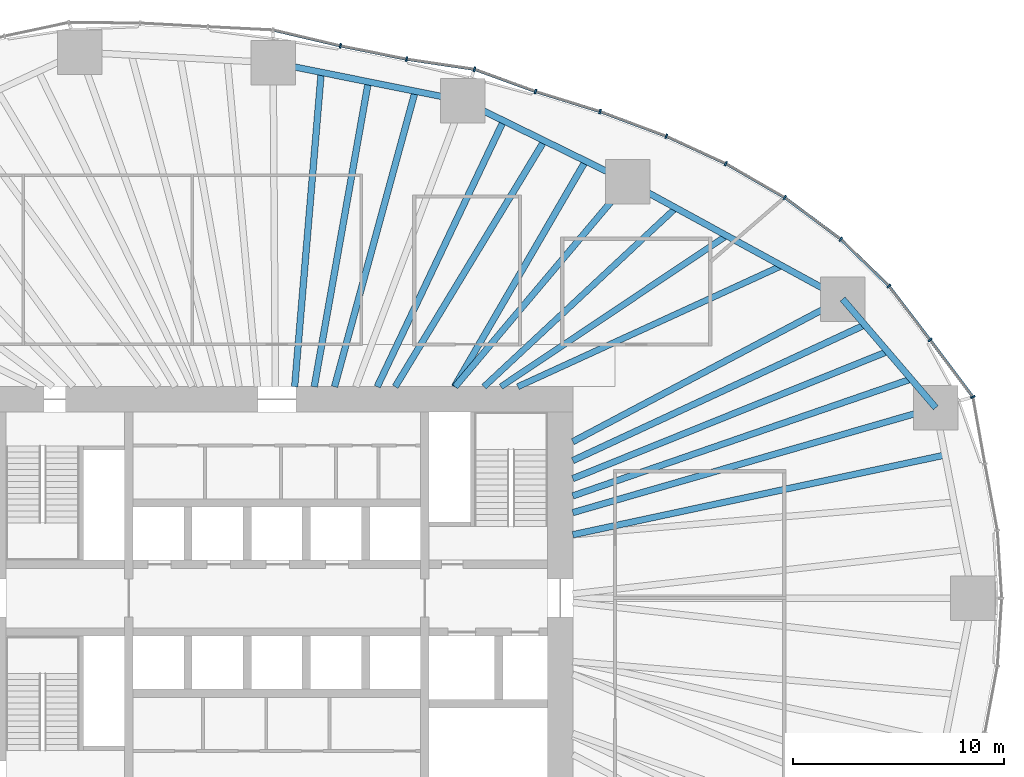
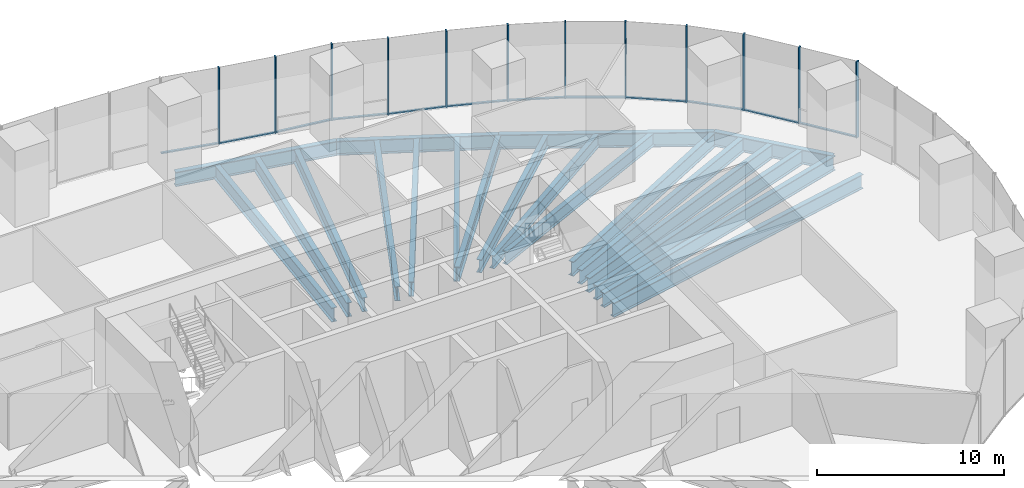
# One storey, part 6 of 20: 24 members, 20 beams, 4 elements without a shape of their own.
"""IFC4 building model written with IfcOpenShell, lengths in metres."""

from ifc_helpers import new_model, si_unit, direction, frame, origin, origin_2d, place, context, subcontext, project, spatial, rectangle, i_section, extrude, material, material_profile, profile_set, type_object, element, aggregate, save


model = new_model("IFC4")

# Units and contexts
model_context = context("Model", 3, precision=1e-05, world=origin(), true_north=direction((0.0, 1.0)))
body_context = subcontext(model_context, "Body", "Model", "MODEL_VIEW")
ifc_project = project(units=[si_unit("LENGTHUNIT", "METRE"), si_unit("AREAUNIT", "SQUARE_METRE"), si_unit("VOLUMEUNIT", "CUBIC_METRE"), si_unit("PLANEANGLEUNIT", "RADIAN"), si_unit("MASSUNIT", "GRAM", prefix="KILO")], contexts=[model_context])

# Site, building, storey
site_placement = place(None, origin())
site = spatial("IfcSite", under=ifc_project, at=site_placement, CompositionType="ELEMENT")
building_placement = place(site_placement, origin())
building = spatial("IfcBuilding", under=site, at=building_placement, Name="Ghaith Harvest Tower", CompositionType="ELEMENT")
storey_placement = place(building_placement, frame((0.0, 0.0, 30.0)))
storey = spatial("IfcBuildingStorey", under=building, at=storey_placement, Name="L06", CompositionType="ELEMENT", Elevation=30.0)

# Curtain wall, members
ifc_material_1 = material(Name="Black anodised aluminium and fritted glass", Category="aluminium")
curtain_wall_type = type_object("IfcCurtainWallType", Name="CW-F CURTAIN WALL", PredefinedType="NOTDEFINED", material=ifc_material_1)
curtain_wall_1_placement = place(storey_placement, origin())
curtain_wall_1 = element("IfcCurtainWall", 1, at=curtain_wall_1_placement, inside=storey, type_object=curtain_wall_type, Name="Curtain wall CW-F bay 02 L06", PredefinedType="NOTDEFINED")
ifc_material_2 = material(Name="Aluminium, black anodised", Category="aluminium")
ifc_material_profile_1 = material_profile(ifc_material_2, rectangle(XDim=0.080078125, YDim=0.219970703125, at=origin_2d()), Name="CW-F MULLION 80x220")
ifc_profile_set_1 = profile_set([ifc_material_profile_1], Name="Aluminium, black anodised")
member_type_1 = type_object("IfcMemberType", Name="CW-F MULLION 80x220", PredefinedType="MULLION", material=ifc_profile_set_1)
member_1_placement = place(storey_placement, frame((32.923583984375, 9.515625, 0.0), z_axis=(0.0, 0.0, 1.0), x_axis=(-0.404701693729, 0.914448762421, 0.0)))
member_1 = element("IfcMember", 2, at=member_1_placement, type_object=member_type_1, Name="CW-F mullion 1 bay 02 L06", PredefinedType="MULLION", context=body_context, shape_type="SweptSolid", body=[
    extrude(rectangle(XDim=0.080078125, YDim=0.219970703125, at=origin_2d()), origin(), (0.0, 0.0, 1.0), 5.0),
])
member_2_placement = place(storey_placement, frame((30.896728515625, 12.215087890625, 0.0), z_axis=(0.0, 0.0, 1.0), x_axis=(-0.603948315345, 0.797023482961, 0.0)))
member_2 = element("IfcMember", 3, at=member_2_placement, type_object=member_type_1, Name="CW-F mullion 2 bay 02 L06", PredefinedType="MULLION", context=body_context, shape_type="SweptSolid", body=[
    extrude(rectangle(XDim=0.080078125, YDim=0.219970703125, at=origin_2d()), origin(), (0.0, 0.0, 1.0), 5.0),
])
member_3_placement = place(storey_placement, frame((28.947021484375, 14.763427734375, 0.0), z_axis=(0.0, 0.0, 1.0), x_axis=(-0.663604797296, 0.748083332929, 0.0)))
member_3 = element("IfcMember", 4, at=member_3_placement, type_object=member_type_1, Name="CW-F mullion 3 bay 02 L06", PredefinedType="MULLION", context=body_context, shape_type="SweptSolid", body=[
    extrude(rectangle(XDim=0.080078125, YDim=0.219970703125, at=origin_2d()), origin(), (0.0, 0.0, 1.0), 5.0),
])

curtain_wall_2_placement = place(storey_placement, origin())
curtain_wall_2 = element("IfcCurtainWall", 5, at=curtain_wall_2_placement, inside=storey, type_object=curtain_wall_type, Name="Curtain wall CW-F bay 03 L06", PredefinedType="NOTDEFINED")
member_4_placement = place(storey_placement, frame((26.673828125, 16.9755859375, 0.0), z_axis=(0.0, 0.0, 1.0), x_axis=(-0.762365981091, 0.647146127915, 0.0)))
member_4 = element("IfcMember", 6, at=member_4_placement, type_object=member_type_1, Name="CW-F mullion 1 bay 03 L06", PredefinedType="MULLION", context=body_context, shape_type="SweptSolid", body=[
    extrude(rectangle(XDim=0.080078125, YDim=0.219970703125, at=origin_2d()), origin(), (0.0, 0.0, 1.0), 5.0),
])
member_5_placement = place(storey_placement, frame((24.018310546875, 18.947265625, 0.0), z_axis=(0.0, 0.0, 1.0), x_axis=(-0.835443516723, 0.549576318963, 0.0)))
member_5 = element("IfcMember", 7, at=member_5_placement, type_object=member_type_1, Name="CW-F mullion 2 bay 03 L06", PredefinedType="MULLION", context=body_context, shape_type="SweptSolid", body=[
    extrude(rectangle(XDim=0.080078125, YDim=0.219970703125, at=origin_2d()), origin(), (0.0, 0.0, 1.0), 5.0),
])
member_6_placement = place(storey_placement, frame((21.2353515625, 20.552978515625, 0.0), z_axis=(0.0, 0.0, 1.0), x_axis=(-0.887896671642, 0.460042933308, 0.0)))
member_6 = element("IfcMember", 8, at=member_6_placement, type_object=member_type_1, Name="CW-F mullion 3 bay 03 L06", PredefinedType="MULLION", context=body_context, shape_type="SweptSolid", body=[
    extrude(rectangle(XDim=0.080078125, YDim=0.219970703125, at=origin_2d()), origin(), (0.0, 0.0, 1.0), 5.0),
])

curtain_wall_3_placement = place(storey_placement, origin())
curtain_wall_3 = element("IfcCurtainWall", 9, at=curtain_wall_3_placement, inside=storey, type_object=curtain_wall_type, Name="Curtain wall CW-F bay 04 L06", PredefinedType="NOTDEFINED")
member_7_placement = place(storey_placement, frame((18.422607421875, 21.8466796875, 0.0), z_axis=(0.0, 0.0, 1.0), x_axis=(-0.923910199252, 0.382609387912, 0.0)))
member_7 = element("IfcMember", 10, at=member_7_placement, type_object=member_type_1, Name="CW-F mullion 1 bay 04 L06", PredefinedType="MULLION", context=body_context, shape_type="SweptSolid", body=[
    extrude(rectangle(XDim=0.080078125, YDim=0.219970703125, at=origin_2d()), origin(), (0.0, 0.0, 1.0), 5.0),
])
member_8_placement = place(storey_placement, frame((15.28759765625, 23.01611328125, 0.0), z_axis=(0.0, 0.0, 1.0), x_axis=(-0.946121020954, 0.323813238933, 0.0)))
member_8 = element("IfcMember", 11, at=member_8_placement, type_object=member_type_1, Name="CW-F mullion 2 bay 04 L06", PredefinedType="MULLION", context=body_context, shape_type="SweptSolid", body=[
    extrude(rectangle(XDim=0.080078125, YDim=0.219970703125, at=origin_2d()), origin(), (0.0, 0.0, 1.0), 5.0),
])
member_9_placement = place(storey_placement, frame((12.234375, 23.964599609375, 0.0), z_axis=(0.0, 0.0, 1.0), x_axis=(-0.947653438436, 0.319300736957, 0.0)))
member_9 = element("IfcMember", 12, at=member_9_placement, type_object=member_type_1, Name="CW-F mullion 3 bay 04 L06", PredefinedType="MULLION", context=body_context, shape_type="SweptSolid", body=[
    extrude(rectangle(XDim=0.080078125, YDim=0.219970703125, at=origin_2d()), origin(), (0.0, 0.0, 1.0), 5.0),
])

curtain_wall_4_placement = place(storey_placement, origin())
curtain_wall_4 = element("IfcCurtainWall", 13, at=curtain_wall_4_placement, inside=storey, type_object=curtain_wall_type, Name="Curtain wall CW-F bay 05 L06", PredefinedType="NOTDEFINED")
member_10_placement = place(storey_placement, frame((9.351806640625, 25.01611328125, 0.0), z_axis=(0.0, 0.0, 1.0), x_axis=(-0.969903429236, 0.243489913461, 0.0)))
member_10 = element("IfcMember", 14, at=member_10_placement, type_object=member_type_1, Name="CW-F mullion 1 bay 05 L06", PredefinedType="MULLION", context=body_context, shape_type="SweptSolid", body=[
    extrude(rectangle(XDim=0.080078125, YDim=0.219970703125, at=origin_2d()), origin(), (0.0, 0.0, 1.0), 5.0),
])
member_11_placement = place(storey_placement, frame((6.136962890625, 25.495361328125, 0.0), z_axis=(0.0, 0.0, 1.0), x_axis=(-0.985103843977, 0.171960508788, 0.0)))
member_11 = element("IfcMember", 15, at=member_11_placement, type_object=member_type_1, Name="CW-F mullion 2 bay 05 L06", PredefinedType="MULLION", context=body_context, shape_type="SweptSolid", body=[
    extrude(rectangle(XDim=0.080078125, YDim=0.219970703125, at=origin_2d()), origin(), (0.0, 0.0, 1.0), 5.0),
])
member_12_placement = place(storey_placement, frame((3.00927734375, 26.123291015625, 0.0), z_axis=(0.0, 0.0, 1.0), x_axis=(-0.976927332869, 0.213571969822, 0.0)))
member_12 = element("IfcMember", 16, at=member_12_placement, type_object=member_type_1, Name="CW-F mullion 3 bay 05 L06", PredefinedType="MULLION", context=body_context, shape_type="SweptSolid", body=[
    extrude(rectangle(XDim=0.080078125, YDim=0.219970703125, at=origin_2d()), origin(), (0.0, 0.0, 1.0), 5.0),
])

# Member
ifc_material_3 = material(Name="Aluminium, black anodised", Category="aluminium")
ifc_material_profile_2 = material_profile(ifc_material_3, rectangle(XDim=0.139892578125, YDim=0.080078125, at=origin_2d()), Name="CW-F TRANSOM 140x80")
ifc_profile_set_2 = profile_set([ifc_material_profile_2], Name="Aluminium, black anodised")
member_type_2 = type_object("IfcMemberType", Name="CW-F TRANSOM 140x80", PredefinedType="USERDEFINED", material=ifc_profile_set_2)
member_13_placement = place(storey_placement, frame((32.899658203125, 9.547607421875, 0.0400390625), z_axis=(-0.600462135687, 0.799653189581, 0.0), x_axis=(-0.799653189581, -0.600462135687, 0.0)))
member_13 = element("IfcMember", 17, at=member_13_placement, type_object=member_type_2, Name="CW-F transom 1 bay 02 L06", ObjectType="TRANSOM", PredefinedType="USERDEFINED", context=body_context, shape_type="SweptSolid", body=[
    extrude(rectangle(XDim=0.139892578125, YDim=0.080078125, at=origin_2d()), origin(), (0.0, 0.0, 1.0), 3.2958984375),
])

member_14_placement = place(storey_placement, frame((30.87255859375, 12.246826171875, 0.0400390625), z_axis=(-0.607638356471, 0.794213842579, 0.0), x_axis=(-0.794213842579, -0.607638356471, 0.0)))
member_14 = element("IfcMember", 18, at=member_14_placement, type_object=member_type_2, Name="CW-F transom 2 bay 02 L06", ObjectType="TRANSOM", PredefinedType="USERDEFINED", context=body_context, shape_type="SweptSolid", body=[
    extrude(rectangle(XDim=0.139892578125, YDim=0.080078125, at=origin_2d()), origin(), (0.0, 0.0, 1.0), 3.128662109375),
])

member_15_placement = place(storey_placement, frame((28.91845703125, 14.791259765625, 0.0400390625), z_axis=(-0.71671313139, 0.697368114623, 0.0), x_axis=(-0.697368114623, -0.71671313139, 0.0)))
member_15 = element("IfcMember", 19, at=member_15_placement, type_object=member_type_2, Name="CW-F transom 3 bay 02 L06", ObjectType="TRANSOM", PredefinedType="USERDEFINED", context=body_context, shape_type="SweptSolid", body=[
    extrude(rectangle(XDim=0.139892578125, YDim=0.080078125, at=origin_2d()), origin(), (0.0, 0.0, 1.0), 3.092041015625),
])

aggregate(curtain_wall_1, [member_1, member_13, member_2, member_14, member_3, member_15])

member_16_placement = place(storey_placement, frame((26.641845703125, 16.999267578125, 0.0400390625), z_axis=(-0.802877287823, 0.596144328748, 0.0), x_axis=(-0.596144328748, -0.802877287823, 0.0)))
member_16 = element("IfcMember", 20, at=member_16_placement, type_object=member_type_2, Name="CW-F transom 1 bay 03 L06", ObjectType="TRANSOM", PredefinedType="USERDEFINED", context=body_context, shape_type="SweptSolid", body=[
    extrude(rectangle(XDim=0.139892578125, YDim=0.080078125, at=origin_2d()), origin(), (0.0, 0.0, 1.0), 3.2275390625),
])

member_17_placement = place(storey_placement, frame((23.983642578125, 18.96728515625, 0.0400390625), z_axis=(-0.866168719914, 0.499751686983, 0.0), x_axis=(-0.499751686983, -0.866168719914, 0.0)))
member_17 = element("IfcMember", 21, at=member_17_placement, type_object=member_type_2, Name="CW-F transom 2 bay 03 L06", ObjectType="TRANSOM", PredefinedType="USERDEFINED", context=body_context, shape_type="SweptSolid", body=[
    extrude(rectangle(XDim=0.139892578125, YDim=0.080078125, at=origin_2d()), origin(), (0.0, 0.0, 1.0), 3.1328125),
])

member_18_placement = place(storey_placement, frame((21.19921875, 20.56982421875, 0.0400390625), z_axis=(-0.908553137239, 0.417769310521, 0.0), x_axis=(-0.417769310521, -0.908553137239, 0.0)))
member_18 = element("IfcMember", 22, at=member_18_placement, type_object=member_type_2, Name="CW-F transom 3 bay 03 L06", ObjectType="TRANSOM", PredefinedType="USERDEFINED", context=body_context, shape_type="SweptSolid", body=[
    extrude(rectangle(XDim=0.139892578125, YDim=0.080078125, at=origin_2d()), origin(), (0.0, 0.0, 1.0), 3.01611328125),
])

aggregate(curtain_wall_2, [member_4, member_16, member_5, member_17, member_6, member_18])

member_19_placement = place(storey_placement, frame((18.385009765625, 21.860595703125, 0.0400390625), z_axis=(-0.936923785579, 0.349533717996, 0.0), x_axis=(-0.349533717996, -0.936923785579, 0.0)))
member_19 = element("IfcMember", 23, at=member_19_placement, type_object=member_type_2, Name="CW-F transom 1 bay 04 L06", ObjectType="TRANSOM", PredefinedType="USERDEFINED", context=body_context, shape_type="SweptSolid", body=[
    extrude(rectangle(XDim=0.139892578125, YDim=0.080078125, at=origin_2d()), origin(), (0.0, 0.0, 1.0), 3.26611328125),
])

member_20_placement = place(storey_placement, frame((15.249267578125, 23.028076171875, 0.0400390625), z_axis=(-0.954998362353, 0.296611071781, 0.0), x_axis=(-0.296611071781, -0.954998362353, 0.0)))
member_20 = element("IfcMember", 24, at=member_20_placement, type_object=member_type_2, Name="CW-F transom 2 bay 04 L06", ObjectType="TRANSOM", PredefinedType="USERDEFINED", context=body_context, shape_type="SweptSolid", body=[
    extrude(rectangle(XDim=0.139892578125, YDim=0.080078125, at=origin_2d()), origin(), (0.0, 0.0, 1.0), 3.1171875),
])

member_21_placement = place(storey_placement, frame((12.19677734375, 23.978271484375, 0.0400390625), z_axis=(-0.939437502081, 0.342720264478, 0.0), x_axis=(-0.342720264478, -0.939437502081, 0.0)))
member_21 = element("IfcMember", 25, at=member_21_placement, type_object=member_type_2, Name="CW-F transom 3 bay 04 L06", ObjectType="TRANSOM", PredefinedType="USERDEFINED", context=body_context, shape_type="SweptSolid", body=[
    extrude(rectangle(XDim=0.139892578125, YDim=0.080078125, at=origin_2d()), origin(), (0.0, 0.0, 1.0), 2.98828125),
])

aggregate(curtain_wall_3, [member_7, member_19, member_8, member_20, member_9, member_21])

member_22_placement = place(storey_placement, frame((9.312255859375, 25.02197265625, 0.0400390625), z_axis=(-0.989078238205, 0.147391447207, 0.0), x_axis=(-0.147391447207, -0.989078238205, 0.0)))
member_22 = element("IfcMember", 26, at=member_22_placement, type_object=member_type_2, Name="CW-F transom 1 bay 05 L06", ObjectType="TRANSOM", PredefinedType="USERDEFINED", context=body_context, shape_type="SweptSolid", body=[
    extrude(rectangle(XDim=0.139892578125, YDim=0.080078125, at=origin_2d()), origin(), (0.0, 0.0, 1.0), 3.17041015625),
])

member_23_placement = place(storey_placement, frame((6.097900390625, 25.503173828125, 0.0400390625), z_axis=(-0.980432471193, 0.196855707129, 0.0), x_axis=(-0.196855707129, -0.980432471193, 0.0)))
member_23 = element("IfcMember", 27, at=member_23_placement, type_object=member_type_2, Name="CW-F transom 2 bay 05 L06", ObjectType="TRANSOM", PredefinedType="USERDEFINED", context=body_context, shape_type="SweptSolid", body=[
    extrude(rectangle(XDim=0.139892578125, YDim=0.080078125, at=origin_2d()), origin(), (0.0, 0.0, 1.0), 3.1103515625),
])

member_24_placement = place(storey_placement, frame((2.97021484375, 26.132568359375, 0.0400390625), z_axis=(-0.973252867589, 0.229736491942, 0.0), x_axis=(-0.229736491942, -0.973252867589, 0.0)))
member_24 = element("IfcMember", 28, at=member_24_placement, type_object=member_type_2, Name="CW-F transom 3 bay 05 L06", ObjectType="TRANSOM", PredefinedType="USERDEFINED", context=body_context, shape_type="SweptSolid", body=[
    extrude(rectangle(XDim=0.139892578125, YDim=0.080078125, at=origin_2d()), origin(), (0.0, 0.0, 1.0), 3.200927734375),
])

aggregate(curtain_wall_4, [member_10, member_22, member_11, member_23, member_12, member_24])

# Beams
ifc_material_4 = material(Name="Steel ASTM A992 Grade 50", Category="steel")
ifc_material_profile_3 = material_profile(ifc_material_4, i_section(OverallWidth=0.306884765625, OverallDepth=0.94189453125, WebThickness=0.022216796875, FlangeThickness=0.039794921875, at=origin_2d()), Name="W920X345")
ifc_profile_set_3 = profile_set([ifc_material_profile_3], Name="Steel ASTM A992 Grade 50")
beam_type_1 = type_object("IfcBeamType", Name="E920-345 W920X345", PredefinedType="SPANDREL", material=ifc_profile_set_3)
beam_1_placement = place(storey_placement, frame((31.166015625, 9.008056640625, -0.6708984375), z_axis=(-0.65056255283, 0.759452674533, 0.0), x_axis=(-0.759452674533, -0.65056255283, 0.0)))
element("IfcBeam", 29, at=beam_1_placement, inside=storey, type_object=beam_type_1, Name="Edge beam E02 L06", PredefinedType="SPANDREL", context=body_context, shape_type="SweptSolid", body=[
    extrude(i_section(OverallWidth=0.306884765625, OverallDepth=0.94189453125, WebThickness=0.022216796875, FlangeThickness=0.039794921875, at=origin_2d()), origin(), (0.0, 0.0, 1.0), 6.7666015625),
])
beam_2_placement = place(storey_placement, frame((26.763916015625, 14.14697265625, -0.6708984375), z_axis=(-0.877588218279, 0.479415184509, 0.0), x_axis=(-0.479415184509, -0.877588218279, 0.0)))
element("IfcBeam", 30, at=beam_2_placement, inside=storey, type_object=beam_type_1, Name="Edge beam E03 L06", PredefinedType="SPANDREL", context=body_context, shape_type="SweptSolid", body=[
    extrude(i_section(OverallWidth=0.306884765625, OverallDepth=0.94189453125, WebThickness=0.022216796875, FlangeThickness=0.039794921875, at=origin_2d()), origin(), (0.0, 0.0, 1.0), 11.57275390625),
])
beam_3_placement = place(storey_placement, frame((16.60791015625, 19.695068359375, -0.6708984375), z_axis=(-0.897823733825, 0.440355019252, 0.0), x_axis=(-0.440355019252, -0.897823733825, 0.0)))
element("IfcBeam", 31, at=beam_3_placement, inside=storey, type_object=beam_type_1, Name="Edge beam E04 L06", PredefinedType="SPANDREL", context=body_context, shape_type="SweptSolid", body=[
    extrude(i_section(OverallWidth=0.306884765625, OverallDepth=0.94189453125, WebThickness=0.022216796875, FlangeThickness=0.039794921875, at=origin_2d()), origin(), (0.0, 0.0, 1.0), 8.7021484375),
])
beam_4_placement = place(storey_placement, frame((8.794921875, 23.527099609375, -0.6708984375), z_axis=(-0.980450082464, 0.196767974517, 0.0), x_axis=(-0.196767974517, -0.980450082464, 0.0)))
element("IfcBeam", 32, at=beam_4_placement, inside=storey, type_object=beam_type_1, Name="Edge beam E05 L06", PredefinedType="SPANDREL", context=body_context, shape_type="SweptSolid", body=[
    extrude(i_section(OverallWidth=0.306884765625, OverallDepth=0.94189453125, WebThickness=0.022216796875, FlangeThickness=0.039794921875, at=origin_2d()), origin(), (0.0, 0.0, 1.0), 9.146728515625),
])
ifc_material_5 = material(Name="Steel ASTM A992 Grade 50", Category="steel")
ifc_material_profile_4 = material_profile(ifc_material_5, i_section(OverallWidth=0.306884765625, OverallDepth=0.94189453125, WebThickness=0.022216796875, FlangeThickness=0.039794921875, at=origin_2d()), Name="W920X345")
ifc_profile_set_4 = profile_set([ifc_material_profile_4], Name="Steel ASTM A992 Grade 50")
beam_type_2 = type_object("IfcBeamType", Name="G920-345 W920X345", PredefinedType="BEAM", material=ifc_profile_set_4)
beam_5_placement = place(storey_placement, frame((14.0, 4.04638671875, -0.6708984375), z_axis=(0.960675395102, 0.277673882903, 0.0), x_axis=(-0.277673882903, 0.960675395102, 0.0)))
element("IfcBeam", 33, at=beam_5_placement, inside=storey, type_object=beam_type_2, Name="Radial girder G02 L06", PredefinedType="BEAM", context=body_context, shape_type="SweptSolid", body=[
    extrude(i_section(OverallWidth=0.306884765625, OverallDepth=0.94189453125, WebThickness=0.022216796875, FlangeThickness=0.039794921875, at=origin_2d()), origin(), (0.0, 0.0, 1.0), 17.86865234375),
])
beam_6_placement = place(storey_placement, frame((14.0, 7.39990234375, -0.6708984375), z_axis=(0.884082663971, 0.467330550324, 0.0), x_axis=(-0.467330550324, 0.884082663971, 0.0)))
element("IfcBeam", 34, at=beam_6_placement, inside=storey, type_object=beam_type_2, Name="Radial girder G03 L06", PredefinedType="BEAM", context=body_context, shape_type="SweptSolid", body=[
    extrude(i_section(OverallWidth=0.306884765625, OverallDepth=0.94189453125, WebThickness=0.022216796875, FlangeThickness=0.039794921875, at=origin_2d()), origin(), (0.0, 0.0, 1.0), 14.4375),
])
beam_7_placement = place(storey_placement, frame((8.4326171875, 10.0, -0.6708984375), z_axis=(0.644644245772, 0.764482698557, 0.0), x_axis=(-0.764482698557, 0.644644245772, 0.0)))
element("IfcBeam", 35, at=beam_7_placement, inside=storey, type_object=beam_type_2, Name="Radial girder G04 L06", PredefinedType="BEAM", context=body_context, shape_type="SweptSolid", body=[
    extrude(i_section(OverallWidth=0.306884765625, OverallDepth=0.94189453125, WebThickness=0.022216796875, FlangeThickness=0.039794921875, at=origin_2d()), origin(), (0.0, 0.0, 1.0), 12.681884765625),
])
ifc_material_6 = material(Name="Steel ASTM A992 Grade 50", Category="steel")
ifc_material_profile_5 = material_profile(ifc_material_6, i_section(OverallWidth=0.2939453125, OverallDepth=0.85107421875, WebThickness=0.01611328125, FlangeThickness=0.02685546875, at=origin_2d()), Name="W840X226")
ifc_profile_set_5 = profile_set([ifc_material_profile_5], Name="Steel ASTM A992 Grade 50")
beam_type_3 = type_object("IfcBeamType", Name="J840-226 W840X226", PredefinedType="JOIST", material=ifc_profile_set_5)
beam_8_placement = place(storey_placement, frame((11.39990234375, 10.0, -0.62548828125), z_axis=(0.909014022454, 0.416765529983, 0.0), x_axis=(-0.416765529983, 0.909014022454, 0.0)))
element("IfcBeam", 36, at=beam_8_placement, inside=storey, type_object=beam_type_3, Name="Joist J03.1 L06", PredefinedType="JOIST", context=body_context, shape_type="SweptSolid", body=[
    extrude(i_section(OverallWidth=0.2939453125, OverallDepth=0.85107421875, WebThickness=0.01611328125, FlangeThickness=0.02685546875, at=origin_2d()), origin(), (0.0, 0.0, 1.0), 13.72998046875),
])
beam_9_placement = place(storey_placement, frame((10.60009765625, 10.0, -0.62548828125), z_axis=(0.831116486766, 0.556098359489, 0.0), x_axis=(-0.556098359489, 0.831116486766, 0.0)))
element("IfcBeam", 37, at=beam_9_placement, inside=storey, type_object=beam_type_3, Name="Joist J03.2 L06", PredefinedType="JOIST", context=body_context, shape_type="SweptSolid", body=[
    extrude(i_section(OverallWidth=0.2939453125, OverallDepth=0.85107421875, WebThickness=0.01611328125, FlangeThickness=0.02685546875, at=origin_2d()), origin(), (0.0, 0.0, 1.0), 12.84716796875),
])
beam_10_placement = place(storey_placement, frame((9.800048828125, 10.0, -0.62548828125), z_axis=(0.731538123562, 0.681800538116, 0.0), x_axis=(-0.681800538116, 0.731538123562, 0.0)))
element("IfcBeam", 38, at=beam_10_placement, inside=storey, type_object=beam_type_3, Name="Joist J03.3 L06", PredefinedType="JOIST", context=body_context, shape_type="SweptSolid", body=[
    extrude(i_section(OverallWidth=0.2939453125, OverallDepth=0.85107421875, WebThickness=0.01611328125, FlangeThickness=0.02685546875, at=origin_2d()), origin(), (0.0, 0.0, 1.0), 12.404052734375),
])
ifc_material_7 = material(Name="Steel ASTM A992 Grade 50", Category="steel")
ifc_material_profile_6 = material_profile(ifc_material_7, i_section(OverallWidth=0.31005859375, OverallDepth=0.927001953125, WebThickness=0.019287109375, FlangeThickness=0.031982421875, at=origin_2d()), Name="W920X289")
ifc_profile_set_6 = profile_set([ifc_material_profile_6], Name="Steel ASTM A992 Grade 50")
beam_type_4 = type_object("IfcBeamType", Name="J920-289 W920X289", PredefinedType="JOIST", material=ifc_profile_set_6)
beam_11_placement = place(storey_placement, frame((14.0, 6.506103515625, -0.66357421875), z_axis=(0.906862619792, 0.421426374144, 0.0), x_axis=(-0.421426374144, 0.906862619792, 0.0)))
element("IfcBeam", 39, at=beam_11_placement, inside=storey, type_object=beam_type_4, Name="Joist J02.3 L06", PredefinedType="JOIST", context=body_context, shape_type="SweptSolid", body=[
    extrude(i_section(OverallWidth=0.31005859375, OverallDepth=0.927001953125, WebThickness=0.019287109375, FlangeThickness=0.031982421875, at=origin_2d()), origin(), (0.0, 0.0, 1.0), 15.229736328125),
])
beam_12_placement = place(storey_placement, frame((8.39990234375, 10.0, -0.66357421875), z_axis=(0.50228574324, 0.864701701246, 0.0), x_axis=(-0.864701701246, 0.50228574324, 0.0)))
element("IfcBeam", 40, at=beam_12_placement, inside=storey, type_object=beam_type_4, Name="Joist J04.1 L06", PredefinedType="JOIST", context=body_context, shape_type="SweptSolid", body=[
    extrude(i_section(OverallWidth=0.31005859375, OverallDepth=0.927001953125, WebThickness=0.019287109375, FlangeThickness=0.031982421875, at=origin_2d()), origin(), (0.0, 0.0, 1.0), 12.349365234375),
])
beam_13_placement = place(storey_placement, frame((5.60009765625, 10.0, -0.66357421875), z_axis=(0.518319612023, 0.85518698528, 0.0), x_axis=(-0.85518698528, 0.518319612023, 0.0)))
element("IfcBeam", 41, at=beam_13_placement, inside=storey, type_object=beam_type_4, Name="Joist J04.2 L06", PredefinedType="JOIST", context=body_context, shape_type="SweptSolid", body=[
    extrude(i_section(OverallWidth=0.31005859375, OverallDepth=0.927001953125, WebThickness=0.019287109375, FlangeThickness=0.031982421875, at=origin_2d()), origin(), (0.0, 0.0, 1.0), 13.60546875),
])
beam_14_placement = place(storey_placement, frame((4.75, 10.0, -0.66357421875), z_axis=(0.429059675117, 0.903276145588, 0.0), x_axis=(-0.903276145588, 0.429059675117, 0.0)))
element("IfcBeam", 42, at=beam_14_placement, inside=storey, type_object=beam_type_4, Name="Joist J04.3 L06", PredefinedType="JOIST", context=body_context, shape_type="SweptSolid", body=[
    extrude(i_section(OverallWidth=0.31005859375, OverallDepth=0.927001953125, WebThickness=0.019287109375, FlangeThickness=0.031982421875, at=origin_2d()), origin(), (0.0, 0.0, 1.0), 13.92724609375),
])
beam_15_placement = place(storey_placement, frame((2.73095703125, 10.0, -0.66357421875), z_axis=(0.263455282447, 0.964671609487, 0.0), x_axis=(-0.964671609487, 0.263455282447, 0.0)))
element("IfcBeam", 43, at=beam_15_placement, inside=storey, type_object=beam_type_4, Name="Joist J05.1 L06", PredefinedType="JOIST", context=body_context, shape_type="SweptSolid", body=[
    extrude(i_section(OverallWidth=0.31005859375, OverallDepth=0.927001953125, WebThickness=0.019287109375, FlangeThickness=0.031982421875, at=origin_2d()), origin(), (0.0, 0.0, 1.0), 14.48974609375),
])
beam_16_placement = place(storey_placement, frame((1.772705078125, 10.0, -0.66357421875), z_axis=(0.174552574354, 0.984647855218, 0.0), x_axis=(-0.984647855218, 0.174552574354, 0.0)))
element("IfcBeam", 44, at=beam_16_placement, inside=storey, type_object=beam_type_4, Name="Joist J05.2 L06", PredefinedType="JOIST", context=body_context, shape_type="SweptSolid", body=[
    extrude(i_section(OverallWidth=0.31005859375, OverallDepth=0.927001953125, WebThickness=0.019287109375, FlangeThickness=0.031982421875, at=origin_2d()), origin(), (0.0, 0.0, 1.0), 14.648193359375),
])
beam_17_placement = place(storey_placement, frame((0.844970703125, 10.0, -0.66357421875), z_axis=(0.084219252187, 0.996447247756, 0.0), x_axis=(-0.996447247756, 0.084219252187, 0.0)))
element("IfcBeam", 45, at=beam_17_placement, inside=storey, type_object=beam_type_4, Name="Joist J05.3 L06", PredefinedType="JOIST", context=body_context, shape_type="SweptSolid", body=[
    extrude(i_section(OverallWidth=0.31005859375, OverallDepth=0.927001953125, WebThickness=0.019287109375, FlangeThickness=0.031982421875, at=origin_2d()), origin(), (0.0, 0.0, 1.0), 14.92333984375),
])
ifc_material_8 = material(Name="Steel ASTM A992 Grade 50", Category="steel")
ifc_material_profile_7 = material_profile(ifc_material_8, i_section(OverallWidth=0.306884765625, OverallDepth=0.94189453125, WebThickness=0.022216796875, FlangeThickness=0.039794921875, at=origin_2d()), Name="W920X345")
ifc_profile_set_7 = profile_set([ifc_material_profile_7], Name="Steel ASTM A992 Grade 50")
beam_type_5 = type_object("IfcBeamType", Name="J920-345 W920X345", PredefinedType="JOIST", material=ifc_profile_set_7)
beam_18_placement = place(storey_placement, frame((14.0, 3.0, -0.6708984375), z_axis=(0.977831380626, 0.209393865869, 0.0), x_axis=(-0.209393865869, 0.977831380626, 0.0)))
element("IfcBeam", 46, at=beam_18_placement, inside=storey, type_object=beam_type_5, Name="Joist J01.3 L06", PredefinedType="JOIST", context=body_context, shape_type="SweptSolid", body=[
    extrude(i_section(OverallWidth=0.306884765625, OverallDepth=0.94189453125, WebThickness=0.022216796875, FlangeThickness=0.039794921875, at=origin_2d()), origin(), (0.0, 0.0, 1.0), 18.002197265625),
])
beam_19_placement = place(storey_placement, frame((14.0, 4.835693359375, -0.6708984375), z_axis=(0.945204767809, 0.326478095607, 0.0), x_axis=(-0.326478095607, 0.945204767809, 0.0)))
element("IfcBeam", 47, at=beam_19_placement, inside=storey, type_object=beam_type_5, Name="Joist J02.1 L06", PredefinedType="JOIST", context=body_context, shape_type="SweptSolid", body=[
    extrude(i_section(OverallWidth=0.306884765625, OverallDepth=0.94189453125, WebThickness=0.022216796875, FlangeThickness=0.039794921875, at=origin_2d()), origin(), (0.0, 0.0, 1.0), 16.932373046875),
])
beam_20_placement = place(storey_placement, frame((14.0, 5.653564453125, -0.6708984375), z_axis=(0.927252192145, 0.374437407536, 0.0), x_axis=(-0.374437407536, 0.927252192145, 0.0)))
element("IfcBeam", 48, at=beam_20_placement, inside=storey, type_object=beam_type_5, Name="Joist J02.2 L06", PredefinedType="JOIST", context=body_context, shape_type="SweptSolid", body=[
    extrude(i_section(OverallWidth=0.306884765625, OverallDepth=0.94189453125, WebThickness=0.022216796875, FlangeThickness=0.039794921875, at=origin_2d()), origin(), (0.0, 0.0, 1.0), 16.057373046875),
])

save(model, "model.ifc")
